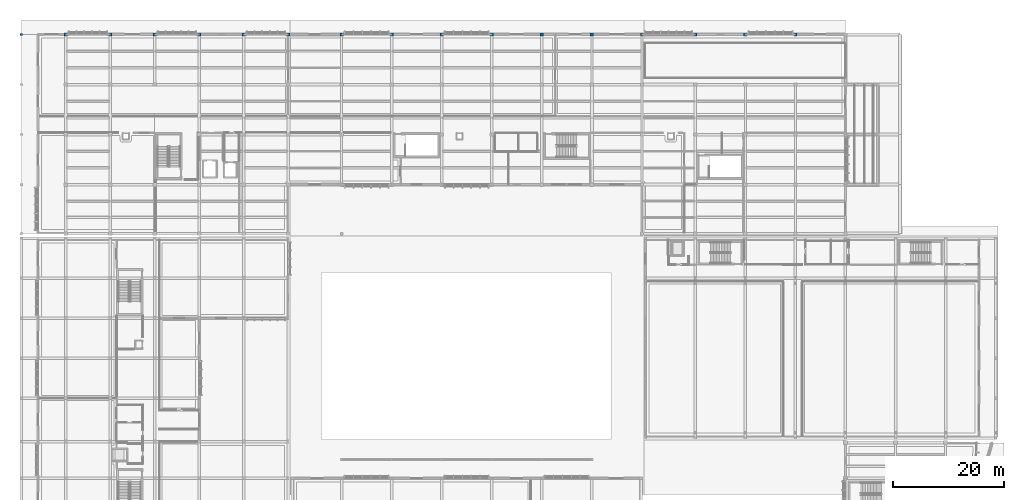
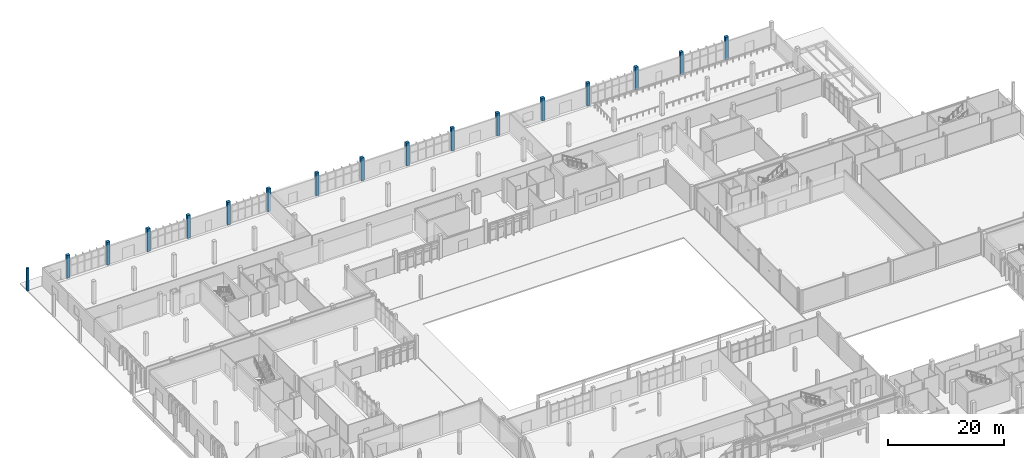
# One storey, part 12 of 151: 17 columns.
"""IFC4 building model written with IfcOpenShell, lengths in metres."""

import ifcopenshell
import ifcopenshell.guid

model = None  # the IFC model being written
_history = None  # IfcOwnerHistory: only IFC2X3 demands one
_inside = {}  # id of a spatial element -> (the spatial element, [elements in it])
_under = {}  # id of a project, library or spatial element -> (it, [spatial elements below it])
_declared = {}  # id of a project -> (the project, [libraries it declares])
_typed = {}  # id of a type object -> (the type object, [elements of that type])
_made_of = {}  # id of a material, layer set ... -> (it, [elements and type objects made of it])


def new_model(schema):
    """Start an empty IFC model of exactly this schema.

    Asked for "IFC4X3", IfcOpenShell would pick the latest addendum, in which some entities
    have other attributes; the version numbers below select the first issue.
    IFC2X3 requires an IfcOwnerHistory on every rooted entity: one is made here for all.
    """
    global model, _history
    if schema == "IFC4X3":
        model = ifcopenshell.file(schema_version=(4, 3, 0, 0))
    else:
        model = ifcopenshell.file(schema=schema)
    _inside.clear()
    _under.clear()
    _declared.clear()
    _typed.clear()
    _made_of.clear()
    _history = None
    if model.schema == "IFC2X3":
        org = make("IfcOrganization", Name="unknown")
        user = make(
            "IfcPersonAndOrganization",
            ThePerson=make("IfcPerson", FamilyName="unknown"),
            TheOrganization=org,
        )
        app = make(
            "IfcApplication",
            ApplicationDeveloper=org,
            Version="unknown",
            ApplicationFullName="unknown",
            ApplicationIdentifier="unknown",
        )
        _history = make(
            "IfcOwnerHistory",
            OwningUser=user,
            OwningApplication=app,
            ChangeAction="ADDED",
            CreationDate=0,
        )
    return model


def make(cls, **values):
    """One entity of the class cls with the attributes given. An attribute that is None is left unset."""
    return model.create_entity(
        cls, **{name: value for name, value in values.items() if value is not None}
    )


def rooted(cls, **values):
    """An entity with a GlobalId (a new one), such as an element, a storey or a relation."""
    return make(cls, GlobalId=ifcopenshell.guid.new(), OwnerHistory=_history, **values)


def si_unit(unit_type, name, prefix=None):
    """IfcSIUnit, for example si_unit("LENGTHUNIT", "METRE", prefix="MILLI")."""
    return make("IfcSIUnit", UnitType=unit_type, Prefix=prefix, Name=name)


def assignment(units):
    """IfcUnitAssignment: the units of a project."""
    return None if units is None else make("IfcUnitAssignment", Units=units)


def point(xyz):
    """IfcCartesianPoint."""
    return None if xyz is None else make("IfcCartesianPoint", Coordinates=xyz)


def direction(xyz):
    """IfcDirection."""
    return None if xyz is None else make("IfcDirection", DirectionRatios=xyz)


def frame(location, z_axis=None, x_axis=None):
    """IfcAxis2Placement3D, a coordinate frame: its origin and axes. An axis left out is left unset."""
    return make(
        "IfcAxis2Placement3D",
        Location=point(location),
        Axis=direction(z_axis),
        RefDirection=direction(x_axis),
    )


def frame_2d(location, x_axis=None):
    """IfcAxis2Placement2D, a coordinate frame in the plane: its origin and x axis."""
    return make(
        "IfcAxis2Placement2D", Location=point(location), RefDirection=direction(x_axis)
    )


def origin():
    """The frame at (0, 0, 0) with its axes left unset."""
    return frame((0.0, 0.0, 0.0))


def origin_2d():
    """The frame at (0, 0) in the plane with its x axis left unset."""
    return frame_2d((0.0, 0.0))


def place(relative_to, where):
    """IfcLocalPlacement: puts the frame where relative to a parent placement (None: the world)."""
    return make(
        "IfcLocalPlacement", PlacementRelTo=relative_to, RelativePlacement=where
    )


def context(
    kind, dimensions, precision=None, world=None, true_north=None, identifier=None
):
    """IfcGeometricRepresentationContext, for example the 3D "Model" context."""
    return make(
        "IfcGeometricRepresentationContext",
        ContextIdentifier=identifier,
        ContextType=kind,
        CoordinateSpaceDimension=dimensions,
        Precision=precision,
        WorldCoordinateSystem=world,
        TrueNorth=true_north,
    )


def subcontext(parent, identifier, kind, view, scale=None):
    """IfcGeometricRepresentationSubContext, for example "Body" below "Model"."""
    return make(
        "IfcGeometricRepresentationSubContext",
        ContextIdentifier=identifier,
        ContextType=kind,
        ParentContext=parent,
        TargetScale=scale,
        TargetView=view,
    )


def project(units=None, contexts=None):
    """IfcProject with its units and contexts."""
    return rooted(
        "IfcProject",
        Name="project",
        RepresentationContexts=contexts,
        UnitsInContext=assignment(units),
    )


def spatial(cls, under=None, at=None, **own):
    """A site, building, storey or space (cls), placed at a placement, below another one or the project."""
    s = rooted(cls, ObjectPlacement=at, **own)
    if under is not None:
        _under.setdefault(under.id(), (under, []))[1].append(s)
    return s


def profile(cls, at=None, kind="AREA", **sizes):
    """A parametric profile (cls). Its sizes go by their IFC names, for example OverallWidth=200.0."""
    return make(cls, ProfileType=kind, Position=at, **sizes)


def rectangle(**sizes):
    """IfcRectangleProfileDef."""
    return profile("IfcRectangleProfileDef", **sizes)


def extrude(swept, where, along, depth):
    """IfcExtrudedAreaSolid: the profile swept, set in the frame where, extruded along a direction by depth."""
    return make(
        "IfcExtrudedAreaSolid",
        SweptArea=swept,
        Position=where,
        ExtrudedDirection=direction(along),
        Depth=depth,
    )


def shape(context_of_items, identifier, shape_type, items):
    """IfcShapeRepresentation: the items that make up one representation, for example the "Body"."""
    return make(
        "IfcShapeRepresentation",
        ContextOfItems=context_of_items,
        RepresentationIdentifier=identifier,
        RepresentationType=shape_type,
        Items=items,
    )


def material(Name=None, Category=None):
    """IfcMaterial."""
    return make("IfcMaterial", Name=Name, Category=Category)


def material_profile(
    of_material, cross_section, Name=None, Category=None, Priority=None
):
    """IfcMaterialProfile: a cross section and its material."""
    return make(
        "IfcMaterialProfile",
        Name=Name,
        Material=of_material,
        Profile=cross_section,
        Priority=Priority,
        Category=Category,
    )


def profile_set(profiles, Name=None, composite=None):
    """IfcMaterialProfileSet."""
    return make(
        "IfcMaterialProfileSet",
        Name=Name,
        MaterialProfiles=profiles,
        CompositeProfile=composite,
    )


def made_of(thing, what):
    """Note that an element or type object is made of a material, layer set ...; save() writes the relation."""
    if what is not None:
        _made_of.setdefault(what.id(), (what, []))[1].append(thing)
    return thing


def type_object(cls, material=None, **own):
    """A type object (cls), such as IfcWallType, which elements share."""
    return made_of(rooted(cls, **own), material)


def element(
    cls,
    number,
    at=None,
    inside=None,
    cuts=None,
    type_object=None,
    material=None,
    context=None,
    identifier="Body",
    shape_type=None,
    held_by="IfcProductDefinitionShape",
    body=None,
    shapes=None,
    **own,
):
    """One element of the class cls, such as IfcWall. Its Tag is "e" and its number.

    at: its placement. inside: the storey or other place that contains it. cuts: it is an
    opening in that element (IfcRelVoidsElement). A single representation is given by context,
    identifier, shape_type and body (its items); several are given by shapes. held_by: the class
    of the entity that holds the representations. save() writes the other relations.
    """
    e = rooted(cls, Tag="e%d" % number, ObjectPlacement=at, **own)
    if body is not None:
        shapes = [shape(context, identifier, shape_type, body)]
    if shapes is not None:
        e.Representation = make(held_by, Representations=shapes)
    if inside is not None:
        _inside.setdefault(inside.id(), (inside, []))[1].append(e)
    if cuts is not None:
        rooted(
            "IfcRelVoidsElement", RelatingBuildingElement=cuts, RelatedOpeningElement=e
        )
    if type_object is not None:
        _typed.setdefault(type_object.id(), (type_object, []))[1].append(e)
    return made_of(e, material)


def aggregate(whole, parts):
    """IfcRelAggregates: a whole, such as a stair, and the parts it consists of."""
    return rooted("IfcRelAggregates", RelatingObject=whole, RelatedObjects=parts)


def save(model, path):
    """Write the relations noted so far, then the file.

    IfcRelAggregates (storeys below a building ...), IfcRelContainedInSpatialStructure (elements
    in a storey), IfcRelDefinesByType, IfcRelAssociatesMaterial and IfcRelDeclares: one each for
    every whole, place, type object, material and project.
    """
    for whole, parts in _under.values():
        aggregate(whole, parts)
    for where, things in _inside.values():
        rooted(
            "IfcRelContainedInSpatialStructure",
            RelatedElements=things,
            RelatingStructure=where,
        )
    for kind, things in _typed.values():
        rooted("IfcRelDefinesByType", RelatedObjects=things, RelatingType=kind)
    for what, things in _made_of.values():
        rooted("IfcRelAssociatesMaterial", RelatedObjects=things, RelatingMaterial=what)
    for by, libraries in _declared.values():
        rooted("IfcRelDeclares", RelatingContext=by, RelatedDefinitions=libraries)
    model.write(path)


model = new_model("IFC4")

# Units and contexts
model_context = context("Model", 3, precision=1e-05, world=origin(), true_north=direction((0.0, 1.0)))
body_context = subcontext(model_context, "Body", "Model", "MODEL_VIEW")
ifc_project = project(units=[si_unit("LENGTHUNIT", "METRE"), si_unit("AREAUNIT", "SQUARE_METRE"), si_unit("VOLUMEUNIT", "CUBIC_METRE"), si_unit("PLANEANGLEUNIT", "RADIAN"), si_unit("MASSUNIT", "GRAM", prefix="KILO")], contexts=[model_context])

# Site, building, storey
site_placement = place(None, origin())
site = spatial("IfcSite", under=ifc_project, at=site_placement, CompositionType="ELEMENT")
building_placement = place(site_placement, origin())
building = spatial("IfcBuilding", under=site, at=building_placement, Name="Chiffa Square Polytechnic", CompositionType="ELEMENT")
storey_placement = place(building_placement, origin())
storey = spatial("IfcBuildingStorey", under=building, at=storey_placement, Name="L00", CompositionType="ELEMENT", Elevation=0.0)

# Columns
ifc_material_1 = material(Name="Glulam GL32c", Category="wood")
ifc_material_profile_1 = material_profile(ifc_material_1, rectangle(XDim=0.419921875, YDim=0.419921875, at=origin_2d()), Name="GL32c 420x420")
ifc_profile_set_1 = profile_set([ifc_material_profile_1], Name="Glulam GL32c")
column_type_1 = type_object("IfcColumnType", Name="COL-GL-420", PredefinedType="COLUMN", material=ifc_profile_set_1)
column_placement = place(storey_placement, frame((0.0, 130.800048828125, 0.0), z_axis=(0.0, 0.0, 1.0), x_axis=(1.0, 0.0, 0.0)))
element("IfcColumn", 1, at=column_placement, inside=storey, type_object=column_type_1, Name="Column C-V5-L00-0000-1308", PredefinedType="COLUMN", context=body_context, shape_type="SweptSolid", body=[
    extrude(rectangle(XDim=0.419921875, YDim=0.419921875, at=origin_2d()), origin(), (0.0, 0.0, 1.0), 4.800048828125),
])
ifc_material_2 = material(Name="Concrete C40/50", Category="concrete")
ifc_material_profile_2 = material_profile(ifc_material_2, rectangle(XDim=0.60009765625, YDim=0.60009765625, at=origin_2d()), Name="RC 600x600")
ifc_profile_set_2 = profile_set([ifc_material_profile_2], Name="Concrete C40/50")
column_type_2 = type_object("IfcColumnType", Name="COL-RC-600", PredefinedType="COLUMN", material=ifc_profile_set_2)
for number, where, z_axis, x_axis, name in (
    (2, (8.0, 130.800048828125, 0.0), (0.0, 0.0, 1.0), (1.0, 0.0, 0.0), "Column C-V5-L00-0080-1308"),
    (3, (16.0, 130.800048828125, 0.0), (0.0, 0.0, 1.0), (1.0, 0.0, 0.0), "Column C-V5-L00-0160-1308"),
    (4, (24.0, 130.800048828125, 0.0), (0.0, 0.0, 1.0), (1.0, 0.0, 0.0), "Column C-V5-L00-0240-1308"),
    (5, (32.0, 130.800048828125, 0.0), (0.0, 0.0, 1.0), (1.0, 0.0, 0.0), "Column C-V5-L00-0320-1308"),
    (6, (40.0, 130.800048828125, 0.0), (0.0, 0.0, 1.0), (1.0, 0.0, 0.0), "Column C-V5-L00-0400-1308"),
    (7, (48.0, 130.800048828125, 0.0), (0.0, 0.0, 1.0), (1.0, 0.0, 0.0), "Column C-V5-L00-0480-1308"),
    (8, (57.60009765625, 130.800048828125, 0.0), (0.0, 0.0, 1.0), (1.0, 0.0, 0.0), "Column C-V5-L00-0576-1308"),
    (9, (66.60009765625, 130.800048828125, 0.0), (0.0, 0.0, 1.0), (1.0, 0.0, 0.0), "Column C-V5-L00-0666-1308"),
    (10, (75.60009765625, 130.800048828125, 0.0), (0.0, 0.0, 1.0), (1.0, 0.0, 0.0), "Column C-V5-L00-0756-1308"),
    (11, (84.60009765625, 130.800048828125, 0.0), (0.0, 0.0, 1.0), (1.0, 0.0, 0.0), "Column C-V5-L00-0846-1308"),
    (12, (93.60009765625, 130.800048828125, 0.0), (0.0, 0.0, 1.0), (1.0, 0.0, 0.0), "Column C-V5-L00-0936-1308"),
    (13, (102.60009765625, 130.800048828125, 0.0), (0.0, 0.0, 1.0), (1.0, 0.0, 0.0), "Column C-V5-L00-1026-1308"),
    (14, (111.60009765625, 130.800048828125, 0.0), (0.0, 0.0, 1.0), (1.0, 0.0, 0.0), "Column C-V5-L00-1116-1308"),
    (15, (121.199951171875, 130.800048828125, 0.0), (0.0, 0.0, 1.0), (1.0, 0.0, 0.0), "Column C-V5-L00-1212-1308"),
    (16, (130.199951171875, 130.800048828125, 0.0), (0.0, 0.0, 1.0), (1.0, 0.0, 0.0), "Column C-V5-L00-1302-1308"),
    (17, (139.199951171875, 130.800048828125, 0.0), (0.0, 0.0, 1.0), (1.0, 0.0, 0.0), "Column C-V5-L00-1392-1308"),
):
    element("IfcColumn", number, at=place(storey_placement, frame(where, z_axis=z_axis, x_axis=x_axis)), inside=storey, type_object=column_type_2, Name=name, PredefinedType="COLUMN", context=body_context, shape_type="SweptSolid", body=[
        extrude(rectangle(XDim=0.60009765625, YDim=0.60009765625, at=origin_2d()), origin(), (0.0, 0.0, 1.0), 4.800048828125),
    ])

save(model, "model.ifc")
